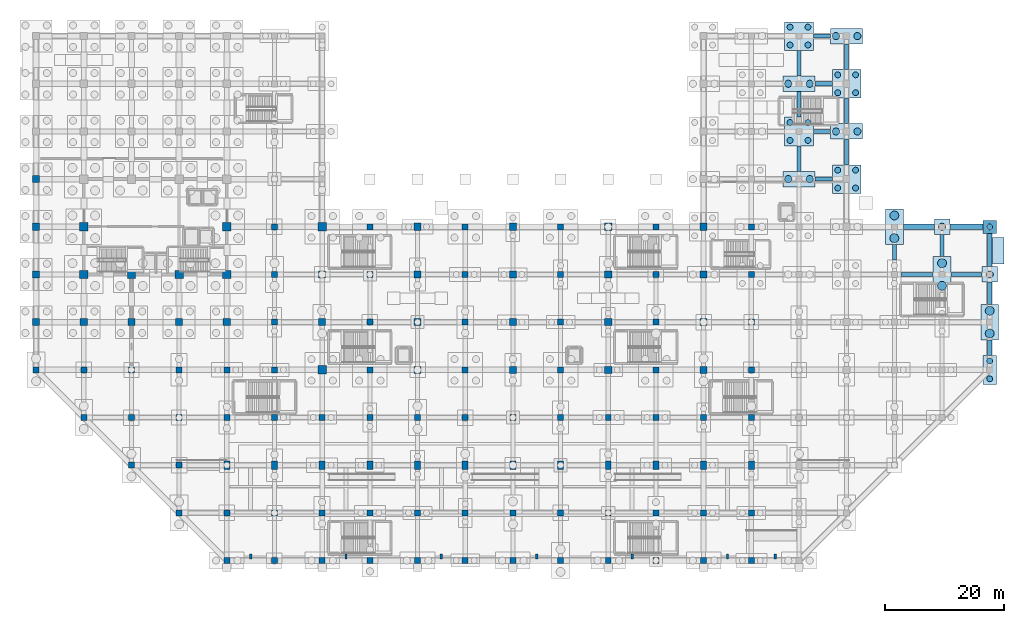
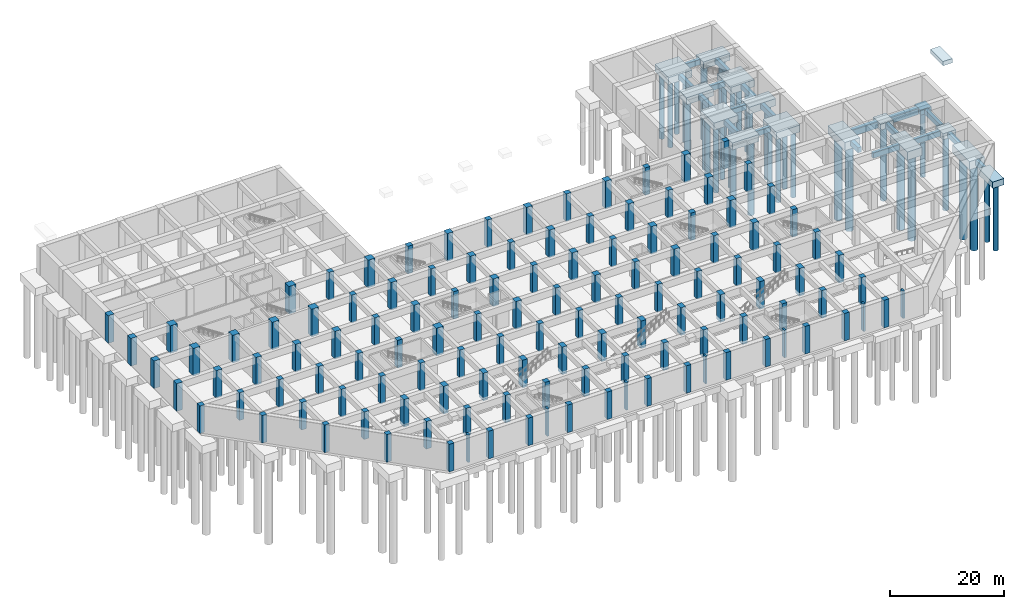
# One storey, part 9 of 26: 124 columns, 35 footings, 35 piles.
"""IFC4 building model written with IfcOpenShell, lengths in metres."""

import ifcopenshell
import ifcopenshell.guid

model = None  # the IFC model being written
_history = None  # IfcOwnerHistory: only IFC2X3 demands one
_inside = {}  # id of a spatial element -> (the spatial element, [elements in it])
_under = {}  # id of a project, library or spatial element -> (it, [spatial elements below it])
_declared = {}  # id of a project -> (the project, [libraries it declares])
_typed = {}  # id of a type object -> (the type object, [elements of that type])
_made_of = {}  # id of a material, layer set ... -> (it, [elements and type objects made of it])


def new_model(schema):
    """Start an empty IFC model of exactly this schema.

    Asked for "IFC4X3", IfcOpenShell would pick the latest addendum, in which some entities
    have other attributes; the version numbers below select the first issue.
    IFC2X3 requires an IfcOwnerHistory on every rooted entity: one is made here for all.
    """
    global model, _history
    if schema == "IFC4X3":
        model = ifcopenshell.file(schema_version=(4, 3, 0, 0))
    else:
        model = ifcopenshell.file(schema=schema)
    _inside.clear()
    _under.clear()
    _declared.clear()
    _typed.clear()
    _made_of.clear()
    _history = None
    if model.schema == "IFC2X3":
        org = make("IfcOrganization", Name="unknown")
        user = make(
            "IfcPersonAndOrganization",
            ThePerson=make("IfcPerson", FamilyName="unknown"),
            TheOrganization=org,
        )
        app = make(
            "IfcApplication",
            ApplicationDeveloper=org,
            Version="unknown",
            ApplicationFullName="unknown",
            ApplicationIdentifier="unknown",
        )
        _history = make(
            "IfcOwnerHistory",
            OwningUser=user,
            OwningApplication=app,
            ChangeAction="ADDED",
            CreationDate=0,
        )
    return model


def make(cls, **values):
    """One entity of the class cls with the attributes given. An attribute that is None is left unset."""
    return model.create_entity(
        cls, **{name: value for name, value in values.items() if value is not None}
    )


def rooted(cls, **values):
    """An entity with a GlobalId (a new one), such as an element, a storey or a relation."""
    return make(cls, GlobalId=ifcopenshell.guid.new(), OwnerHistory=_history, **values)


def si_unit(unit_type, name, prefix=None):
    """IfcSIUnit, for example si_unit("LENGTHUNIT", "METRE", prefix="MILLI")."""
    return make("IfcSIUnit", UnitType=unit_type, Prefix=prefix, Name=name)


def assignment(units):
    """IfcUnitAssignment: the units of a project."""
    return None if units is None else make("IfcUnitAssignment", Units=units)


def point(xyz):
    """IfcCartesianPoint."""
    return None if xyz is None else make("IfcCartesianPoint", Coordinates=xyz)


def direction(xyz):
    """IfcDirection."""
    return None if xyz is None else make("IfcDirection", DirectionRatios=xyz)


def frame(location, z_axis=None, x_axis=None):
    """IfcAxis2Placement3D, a coordinate frame: its origin and axes. An axis left out is left unset."""
    return make(
        "IfcAxis2Placement3D",
        Location=point(location),
        Axis=direction(z_axis),
        RefDirection=direction(x_axis),
    )


def frame_2d(location, x_axis=None):
    """IfcAxis2Placement2D, a coordinate frame in the plane: its origin and x axis."""
    return make(
        "IfcAxis2Placement2D", Location=point(location), RefDirection=direction(x_axis)
    )


def origin():
    """The frame at (0, 0, 0) with its axes left unset."""
    return frame((0.0, 0.0, 0.0))


def origin_2d():
    """The frame at (0, 0) in the plane with its x axis left unset."""
    return frame_2d((0.0, 0.0))


def place(relative_to, where):
    """IfcLocalPlacement: puts the frame where relative to a parent placement (None: the world)."""
    return make(
        "IfcLocalPlacement", PlacementRelTo=relative_to, RelativePlacement=where
    )


def context(
    kind, dimensions, precision=None, world=None, true_north=None, identifier=None
):
    """IfcGeometricRepresentationContext, for example the 3D "Model" context."""
    return make(
        "IfcGeometricRepresentationContext",
        ContextIdentifier=identifier,
        ContextType=kind,
        CoordinateSpaceDimension=dimensions,
        Precision=precision,
        WorldCoordinateSystem=world,
        TrueNorth=true_north,
    )


def subcontext(parent, identifier, kind, view, scale=None):
    """IfcGeometricRepresentationSubContext, for example "Body" below "Model"."""
    return make(
        "IfcGeometricRepresentationSubContext",
        ContextIdentifier=identifier,
        ContextType=kind,
        ParentContext=parent,
        TargetScale=scale,
        TargetView=view,
    )


def project(units=None, contexts=None):
    """IfcProject with its units and contexts."""
    return rooted(
        "IfcProject",
        Name="project",
        RepresentationContexts=contexts,
        UnitsInContext=assignment(units),
    )


def spatial(cls, under=None, at=None, **own):
    """A site, building, storey or space (cls), placed at a placement, below another one or the project."""
    s = rooted(cls, ObjectPlacement=at, **own)
    if under is not None:
        _under.setdefault(under.id(), (under, []))[1].append(s)
    return s


def profile(cls, at=None, kind="AREA", **sizes):
    """A parametric profile (cls). Its sizes go by their IFC names, for example OverallWidth=200.0."""
    return make(cls, ProfileType=kind, Position=at, **sizes)


def rectangle(**sizes):
    """IfcRectangleProfileDef."""
    return profile("IfcRectangleProfileDef", **sizes)


def circle(**sizes):
    """IfcCircleProfileDef."""
    return profile("IfcCircleProfileDef", **sizes)


def extrude(swept, where, along, depth):
    """IfcExtrudedAreaSolid: the profile swept, set in the frame where, extruded along a direction by depth."""
    return make(
        "IfcExtrudedAreaSolid",
        SweptArea=swept,
        Position=where,
        ExtrudedDirection=direction(along),
        Depth=depth,
    )


def shape(context_of_items, identifier, shape_type, items):
    """IfcShapeRepresentation: the items that make up one representation, for example the "Body"."""
    return make(
        "IfcShapeRepresentation",
        ContextOfItems=context_of_items,
        RepresentationIdentifier=identifier,
        RepresentationType=shape_type,
        Items=items,
    )


def material(Name=None, Category=None):
    """IfcMaterial."""
    return make("IfcMaterial", Name=Name, Category=Category)


def material_profile(
    of_material, cross_section, Name=None, Category=None, Priority=None
):
    """IfcMaterialProfile: a cross section and its material."""
    return make(
        "IfcMaterialProfile",
        Name=Name,
        Material=of_material,
        Profile=cross_section,
        Priority=Priority,
        Category=Category,
    )


def profile_set(profiles, Name=None, composite=None):
    """IfcMaterialProfileSet."""
    return make(
        "IfcMaterialProfileSet",
        Name=Name,
        MaterialProfiles=profiles,
        CompositeProfile=composite,
    )


def made_of(thing, what):
    """Note that an element or type object is made of a material, layer set ...; save() writes the relation."""
    if what is not None:
        _made_of.setdefault(what.id(), (what, []))[1].append(thing)
    return thing


def type_object(cls, material=None, **own):
    """A type object (cls), such as IfcWallType, which elements share."""
    return made_of(rooted(cls, **own), material)


def element(
    cls,
    number,
    at=None,
    inside=None,
    cuts=None,
    type_object=None,
    material=None,
    context=None,
    identifier="Body",
    shape_type=None,
    held_by="IfcProductDefinitionShape",
    body=None,
    shapes=None,
    **own,
):
    """One element of the class cls, such as IfcWall. Its Tag is "e" and its number.

    at: its placement. inside: the storey or other place that contains it. cuts: it is an
    opening in that element (IfcRelVoidsElement). A single representation is given by context,
    identifier, shape_type and body (its items); several are given by shapes. held_by: the class
    of the entity that holds the representations. save() writes the other relations.
    """
    e = rooted(cls, Tag="e%d" % number, ObjectPlacement=at, **own)
    if body is not None:
        shapes = [shape(context, identifier, shape_type, body)]
    if shapes is not None:
        e.Representation = make(held_by, Representations=shapes)
    if inside is not None:
        _inside.setdefault(inside.id(), (inside, []))[1].append(e)
    if cuts is not None:
        rooted(
            "IfcRelVoidsElement", RelatingBuildingElement=cuts, RelatedOpeningElement=e
        )
    if type_object is not None:
        _typed.setdefault(type_object.id(), (type_object, []))[1].append(e)
    return made_of(e, material)


def aggregate(whole, parts):
    """IfcRelAggregates: a whole, such as a stair, and the parts it consists of."""
    return rooted("IfcRelAggregates", RelatingObject=whole, RelatedObjects=parts)


def save(model, path):
    """Write the relations noted so far, then the file.

    IfcRelAggregates (storeys below a building ...), IfcRelContainedInSpatialStructure (elements
    in a storey), IfcRelDefinesByType, IfcRelAssociatesMaterial and IfcRelDeclares: one each for
    every whole, place, type object, material and project.
    """
    for whole, parts in _under.values():
        aggregate(whole, parts)
    for where, things in _inside.values():
        rooted(
            "IfcRelContainedInSpatialStructure",
            RelatedElements=things,
            RelatingStructure=where,
        )
    for kind, things in _typed.values():
        rooted("IfcRelDefinesByType", RelatedObjects=things, RelatingType=kind)
    for what, things in _made_of.values():
        rooted("IfcRelAssociatesMaterial", RelatedObjects=things, RelatingMaterial=what)
    for by, libraries in _declared.values():
        rooted("IfcRelDeclares", RelatingContext=by, RelatedDefinitions=libraries)
    model.write(path)


model = new_model("IFC4")

# Units and contexts
model_context = context("Model", 3, precision=1e-05, world=origin(), true_north=direction((0.0, 1.0)))
body_context = subcontext(model_context, "Body", "Model", "MODEL_VIEW")
ifc_project = project(units=[si_unit("LENGTHUNIT", "METRE"), si_unit("AREAUNIT", "SQUARE_METRE"), si_unit("VOLUMEUNIT", "CUBIC_METRE"), si_unit("PLANEANGLEUNIT", "RADIAN"), si_unit("MASSUNIT", "GRAM", prefix="KILO")], contexts=[model_context])

# Site, building, storey
site_placement = place(None, origin())
site = spatial("IfcSite", under=ifc_project, at=site_placement, CompositionType="ELEMENT")
building_placement = place(site_placement, origin())
building = spatial("IfcBuilding", under=site, at=building_placement, Name="Varnela Railside Interchange", CompositionType="ELEMENT")
storey_placement = place(building_placement, frame((0.0, 0.0, -12.60009765625)))
storey = spatial("IfcBuildingStorey", under=building, at=storey_placement, Name="B2", CompositionType="ELEMENT", Elevation=-12.60009765625)

# Piles
ifc_material_1 = material(Name="Concrete C40", Category="concrete")
ifc_material_profile_1 = material_profile(ifc_material_1, circle(Radius=0.5, at=origin_2d()), Name="BORED PILE D1000")
ifc_profile_set_1 = profile_set([ifc_material_profile_1], Name="Concrete C40")
pile_type_1 = type_object("IfcPileType", Name="Bored Pile D1000 L14m", PredefinedType="BORED", material=ifc_profile_set_1)
for number, where, z_axis, x_axis, name in (
    (1, (130.5, 76.5, -2.2998046875), (0.0, 0.0, -1.0), (1.0, 0.0, 0.0), "Bored Pile D1000 L14m"),
    (2, (133.5, 76.5, -2.2998046875), (0.0, 0.0, -1.0), (1.0, 0.0, 0.0), "Bored Pile D1000 L14m"),
    (3, (130.5, 79.5, -2.2998046875), (0.0, 0.0, -1.0), (1.0, 0.0, 0.0), "Bored Pile D1000 L14m"),
    (4, (133.5, 79.5, -2.2998046875), (0.0, 0.0, -1.0), (1.0, 0.0, 0.0), "Bored Pile D1000 L14m"),
    (5, (130.5, 92.5, -2.2998046875), (0.0, 0.0, -1.0), (1.0, 0.0, 0.0), "Bored Pile D1000 L14m"),
    (6, (133.5, 92.5, -2.2998046875), (0.0, 0.0, -1.0), (1.0, 0.0, 0.0), "Bored Pile D1000 L14m"),
    (7, (130.5, 95.5, -2.2998046875), (0.0, 0.0, -1.0), (1.0, 0.0, 0.0), "Bored Pile D1000 L14m"),
    (8, (133.5, 95.5, -2.2998046875), (0.0, 0.0, -1.0), (1.0, 0.0, 0.0), "Bored Pile D1000 L14m"),
    (9, (138.5, 68.5, -2.2998046875), (0.0, 0.0, -1.0), (1.0, 0.0, 0.0), "Bored Pile D1000 L14m"),
    (10, (141.5, 68.5, -2.2998046875), (0.0, 0.0, -1.0), (1.0, 0.0, 0.0), "Bored Pile D1000 L14m"),
    (11, (138.5, 71.5, -2.2998046875), (0.0, 0.0, -1.0), (1.0, 0.0, 0.0), "Bored Pile D1000 L14m"),
    (12, (141.5, 71.5, -2.2998046875), (0.0, 0.0, -1.0), (1.0, 0.0, 0.0), "Bored Pile D1000 L14m"),
    (13, (138.5, 84.5, -2.2998046875), (0.0, 0.0, -1.0), (1.0, 0.0, 0.0), "Bored Pile D1000 L14m"),
    (14, (141.5, 84.5, -2.2998046875), (0.0, 0.0, -1.0), (1.0, 0.0, 0.0), "Bored Pile D1000 L14m"),
    (15, (138.5, 87.5, -2.2998046875), (0.0, 0.0, -1.0), (1.0, 0.0, 0.0), "Bored Pile D1000 L14m"),
    (16, (141.5, 87.5, -2.2998046875), (0.0, 0.0, -1.0), (1.0, 0.0, 0.0), "Bored Pile D1000 L14m"),
    (17, (164.0, 36.5, -2.14990234375), (0.0, 0.0, -1.0), (1.0, 0.0, 0.0), "Bored Pile D1000 L14m"),
    (18, (164.0, 39.5, -2.14990234375), (0.0, 0.0, -1.0), (1.0, 0.0, 0.0), "Bored Pile D1000 L14m"),
    (19, (164.0, 62.0, -1.89990234375), (0.0, 0.0, -1.0), (1.0, 0.0, 0.0), "Bored Pile D1000 L14m"),
):
    element("IfcPile", number, at=place(storey_placement, frame(where, z_axis=z_axis, x_axis=x_axis)), inside=storey, type_object=pile_type_1, Name=name, PredefinedType="BORED", context=body_context, shape_type="SweptSolid", body=[
        extrude(circle(Radius=0.5, at=origin_2d()), origin(), (0.0, 0.0, 1.0), 14.0),
    ])
ifc_material_profile_2 = material_profile(ifc_material_1, circle(Radius=0.60009765625, at=origin_2d()), Name="BORED PILE D1200")
ifc_profile_set_2 = profile_set([ifc_material_profile_2], Name="Concrete C40")
pile_type_2 = type_object("IfcPileType", Name="Bored Pile D1200 L16m", PredefinedType="BORED", material=ifc_profile_set_2)
for number, where, z_axis, x_axis, name in (
    (20, (130.199951171875, 70.0, -2.2998046875), (0.0, 0.0, -1.0), (1.0, 0.0, 0.0), "Bored Pile D1200 L16m"),
    (21, (133.800048828125, 70.0, -2.2998046875), (0.0, 0.0, -1.0), (1.0, 0.0, 0.0), "Bored Pile D1200 L16m"),
    (22, (130.199951171875, 86.0, -2.2998046875), (0.0, 0.0, -1.0), (1.0, 0.0, 0.0), "Bored Pile D1200 L16m"),
    (23, (133.800048828125, 86.0, -2.2998046875), (0.0, 0.0, -1.0), (1.0, 0.0, 0.0), "Bored Pile D1200 L16m"),
    (24, (138.199951171875, 78.0, -2.2998046875), (0.0, 0.0, -1.0), (1.0, 0.0, 0.0), "Bored Pile D1200 L16m"),
    (25, (141.800048828125, 78.0, -2.2998046875), (0.0, 0.0, -1.0), (1.0, 0.0, 0.0), "Bored Pile D1200 L16m"),
    (26, (138.199951171875, 94.0, -2.2998046875), (0.0, 0.0, -1.0), (1.0, 0.0, 0.0), "Bored Pile D1200 L16m"),
    (27, (141.800048828125, 94.0, -2.2998046875), (0.0, 0.0, -1.0), (1.0, 0.0, 0.0), "Bored Pile D1200 L16m"),
    (28, (156.0, 62.0, -2.099853515625), (0.0, 0.0, -1.0), (1.0, 0.0, 0.0), "Bored Pile D1200 L16m"),
    (29, (164.0, 54.0, -2.099853515625), (0.0, 0.0, -1.0), (1.0, 0.0, 0.0), "Bored Pile D1200 L16m"),
):
    element("IfcPile", number, at=place(storey_placement, frame(where, z_axis=z_axis, x_axis=x_axis)), inside=storey, type_object=pile_type_2, Name=name, PredefinedType="BORED", context=body_context, shape_type="SweptSolid", body=[
        extrude(circle(Radius=0.60009765625, at=origin_2d()), origin(), (0.0, 0.0, 1.0), 16.0),
    ])
ifc_material_profile_3 = material_profile(ifc_material_1, circle(Radius=0.75, at=origin_2d()), Name="BORED PILE D1500")
ifc_profile_set_3 = profile_set([ifc_material_profile_3], Name="Concrete C40")
pile_type_3 = type_object("IfcPileType", Name="Bored Pile D1500 L18m", PredefinedType="BORED", material=ifc_profile_set_3)
for number, where, z_axis, x_axis, name in (
    (30, (148.0, 60.10009765625, -2.5498046875), (0.0, 0.0, -1.0), (1.0, 0.0, 0.0), "Bored Pile D1500 L18m"),
    (31, (148.0, 63.89990234375, -2.5498046875), (0.0, 0.0, -1.0), (1.0, 0.0, 0.0), "Bored Pile D1500 L18m"),
    (32, (156.0, 52.10009765625, -2.5498046875), (0.0, 0.0, -1.0), (1.0, 0.0, 0.0), "Bored Pile D1500 L18m"),
    (33, (156.0, 55.89990234375, -2.5498046875), (0.0, 0.0, -1.0), (1.0, 0.0, 0.0), "Bored Pile D1500 L18m"),
    (34, (164.0, 44.10009765625, -2.5498046875), (0.0, 0.0, -1.0), (1.0, 0.0, 0.0), "Bored Pile D1500 L18m"),
    (35, (164.0, 47.89990234375, -2.5498046875), (0.0, 0.0, -1.0), (1.0, 0.0, 0.0), "Bored Pile D1500 L18m"),
):
    element("IfcPile", number, at=place(storey_placement, frame(where, z_axis=z_axis, x_axis=x_axis)), inside=storey, type_object=pile_type_3, Name=name, PredefinedType="BORED", context=body_context, shape_type="SweptSolid", body=[
        extrude(circle(Radius=0.75, at=origin_2d()), origin(), (0.0, 0.0, 1.0), 18.0),
    ])

# Footings
ifc_material_2 = material(Name="Concrete C50", Category="concrete")
footing_type_1 = type_object("IfcFootingType", Name="Four-Pile Cap PC-06", PredefinedType="PILE_CAP", material=ifc_material_2)
for number, where, z_axis, x_axis, name in (
    (36, (132.0, 78.0, -2.2998046875), (0.0, 0.0, 1.0), (1.0, 0.0, 0.0), "Four-Pile Cap PC-06 (FT-0084)"),
    (37, (132.0, 94.0, -2.2998046875), (0.0, 0.0, 1.0), (1.0, 0.0, 0.0), "Four-Pile Cap PC-06 (FT-0086)"),
    (38, (140.0, 70.0, -2.2998046875), (0.0, 0.0, 1.0), (1.0, 0.0, 0.0), "Four-Pile Cap PC-06 (FT-0094)"),
    (39, (140.0, 86.0, -2.2998046875), (0.0, 0.0, 1.0), (1.0, 0.0, 0.0), "Four-Pile Cap PC-06 (FT-0096)"),
):
    element("IfcFooting", number, at=place(storey_placement, frame(where, z_axis=z_axis, x_axis=x_axis)), inside=storey, type_object=footing_type_1, Name=name, PredefinedType="PILE_CAP", context=body_context, shape_type="SweptSolid", body=[
        extrude(rectangle(XDim=4.800048828125, YDim=4.800048828125, at=origin_2d()), origin(), (0.0, 0.0, 1.0), 1.5),
    ])
footing_type_2 = type_object("IfcFootingType", Name="Ground Tie Beam GB-01", PredefinedType="FOOTING_BEAM", material=ifc_material_2)
for number, where, z_axis, x_axis, name in (
    (40, (132.0, 73.449951171875, -1.89990234375), (0.0, 0.0, 1.0), (1.0, 0.0, 0.0), "Ground Tie Beam GB-01 (FT-0447)"),
    (41, (132.0, 82.550048828125, -1.89990234375), (0.0, 0.0, 1.0), (1.0, 0.0, 0.0), "Ground Tie Beam GB-01 (FT-0448)"),
    (42, (132.0, 89.449951171875, -1.89990234375), (0.0, 0.0, 1.0), (1.0, 0.0, 0.0), "Ground Tie Beam GB-01 (FT-0440)"),
    (43, (140.0, 74.550048828125, -1.89990234375), (0.0, 0.0, 1.0), (1.0, 0.0, 0.0), "Ground Tie Beam GB-01 (FT-0457)"),
    (44, (140.0, 81.449951171875, -1.89990234375), (0.0, 0.0, 1.0), (1.0, 0.0, 0.0), "Ground Tie Beam GB-01 (FT-0458)"),
    (45, (140.0, 90.550048828125, -1.89990234375), (0.0, 0.0, 1.0), (1.0, 0.0, 0.0), "Ground Tie Beam GB-01 (FT-0450)"),
):
    element("IfcFooting", number, at=place(storey_placement, frame(where, z_axis=z_axis, x_axis=x_axis)), inside=storey, type_object=footing_type_2, Name=name, PredefinedType="FOOTING_BEAM", context=body_context, shape_type="SweptSolid", body=[
        extrude(rectangle(XDim=0.699951171875, YDim=4.300048828125, at=origin_2d()), origin(), (0.0, 0.0, 1.0), 1.10009765625),
    ])
footing_1_placement = place(storey_placement, frame((148.0, 57.72509765625, -1.89990234375), z_axis=(0.0, 0.0, 1.0), x_axis=(1.0, 0.0, 0.0)))
element("IfcFooting", 46, at=footing_1_placement, inside=storey, type_object=footing_type_2, Name="Ground Tie Beam GB-01 (FT-0463)", PredefinedType="FOOTING_BEAM", context=body_context, shape_type="SweptSolid", body=[
    extrude(rectangle(XDim=0.699951171875, YDim=2.550048828125, at=origin_2d()), origin(), (0.0, 0.0, 1.0), 1.10009765625),
])
footing_2_placement = place(storey_placement, frame((156.0, 58.85009765625, -1.89990234375), z_axis=(0.0, 0.0, 1.0), x_axis=(1.0, 0.0, 0.0)))
element("IfcFooting", 47, at=footing_2_placement, inside=storey, type_object=footing_type_2, Name="Ground Tie Beam GB-01 (FT-0474)", PredefinedType="FOOTING_BEAM", context=body_context, shape_type="SweptSolid", body=[
    extrude(rectangle(XDim=0.699951171875, YDim=3.699951171875, at=origin_2d()), origin(), (0.0, 0.0, 1.0), 1.10009765625),
])
footing_3_placement = place(storey_placement, frame((164.0, 41.72509765625, -1.89990234375), z_axis=(0.0, 0.0, 1.0), x_axis=(1.0, 0.0, 0.0)))
element("IfcFooting", 48, at=footing_3_placement, inside=storey, type_object=footing_type_2, Name="Ground Tie Beam GB-01 (FT-0475)", PredefinedType="FOOTING_BEAM", context=body_context, shape_type="SweptSolid", body=[
    extrude(rectangle(XDim=0.699951171875, YDim=2.550048828125, at=origin_2d()), origin(), (0.0, 0.0, 1.0), 1.10009765625),
])
footing_4_placement = place(storey_placement, frame((164.0, 50.85009765625, -1.89990234375), z_axis=(0.0, 0.0, 1.0), x_axis=(1.0, 0.0, 0.0)))
element("IfcFooting", 49, at=footing_4_placement, inside=storey, type_object=footing_type_2, Name="Ground Tie Beam GB-01 (FT-0476)", PredefinedType="FOOTING_BEAM", context=body_context, shape_type="SweptSolid", body=[
    extrude(rectangle(XDim=0.699951171875, YDim=3.699951171875, at=origin_2d()), origin(), (0.0, 0.0, 1.0), 1.10009765625),
])
footing_5_placement = place(storey_placement, frame((164.0, 58.10009765625, -1.89990234375), z_axis=(0.0, 0.0, 1.0), x_axis=(1.0, 0.0, 0.0)))
element("IfcFooting", 50, at=footing_5_placement, inside=storey, type_object=footing_type_2, Name="Ground Tie Beam GB-01 (FT-0477)", PredefinedType="FOOTING_BEAM", context=body_context, shape_type="SweptSolid", body=[
    extrude(rectangle(XDim=0.699951171875, YDim=5.60009765625, at=origin_2d()), origin(), (0.0, 0.0, 1.0), 1.10009765625),
])
footing_6_placement = place(storey_placement, frame((151.824951171875, 54.0, -1.89990234375), z_axis=(0.0, 0.0, 1.0), x_axis=(1.0, 0.0, 0.0)))
element("IfcFooting", 51, at=footing_6_placement, inside=storey, type_object=footing_type_2, Name="Ground Tie Beam GB-01 (FT-0318)", PredefinedType="FOOTING_BEAM", context=body_context, shape_type="SweptSolid", body=[
    extrude(rectangle(XDim=5.35009765625, YDim=0.699951171875, at=origin_2d()), origin(), (0.0, 0.0, 1.0), 1.10009765625),
])
footing_7_placement = place(storey_placement, frame((160.10009765625, 54.0, -1.89990234375), z_axis=(0.0, 0.0, 1.0), x_axis=(1.0, 0.0, 0.0)))
element("IfcFooting", 52, at=footing_7_placement, inside=storey, type_object=footing_type_2, Name="Ground Tie Beam GB-01 (FT-0319)", PredefinedType="FOOTING_BEAM", context=body_context, shape_type="SweptSolid", body=[
    extrude(rectangle(XDim=5.199951171875, YDim=0.699951171875, at=origin_2d()), origin(), (0.0, 0.0, 1.0), 1.10009765625),
])
for number, where, z_axis, x_axis, name in (
    (53, (136.14990234375, 70.0, -1.89990234375), (0.0, 0.0, 1.0), (1.0, 0.0, 0.0), "Ground Tie Beam GB-01 (FT-0349)"),
    (54, (135.85009765625, 78.0, -1.89990234375), (0.0, 0.0, 1.0), (1.0, 0.0, 0.0), "Ground Tie Beam GB-01 (FT-0358)"),
    (55, (136.14990234375, 86.0, -1.89990234375), (0.0, 0.0, 1.0), (1.0, 0.0, 0.0), "Ground Tie Beam GB-01 (FT-0367)"),
    (56, (135.85009765625, 94.0, -1.89990234375), (0.0, 0.0, 1.0), (1.0, 0.0, 0.0), "Ground Tie Beam GB-01 (FT-0376)"),
):
    element("IfcFooting", number, at=place(storey_placement, frame(where, z_axis=z_axis, x_axis=x_axis)), inside=storey, type_object=footing_type_2, Name=name, PredefinedType="FOOTING_BEAM", context=body_context, shape_type="SweptSolid", body=[
        extrude(rectangle(XDim=2.89990234375, YDim=0.699951171875, at=origin_2d()), origin(), (0.0, 0.0, 1.0), 1.10009765625),
    ])
footing_type_3 = type_object("IfcFootingType", Name="Ground Tie Beam GB-03", PredefinedType="FOOTING_BEAM", material=ifc_material_2)
footing_8_placement = place(storey_placement, frame((152.10009765625, 62.0, -2.10009765625), z_axis=(0.0, 0.0, 1.0), x_axis=(1.0, 0.0, 0.0)))
element("IfcFooting", 57, at=footing_8_placement, inside=storey, type_object=footing_type_3, Name="Ground Tie Beam GB-03 (FT-0337)", PredefinedType="FOOTING_BEAM", context=body_context, shape_type="SweptSolid", body=[
    extrude(rectangle(XDim=5.199951171875, YDim=0.89990234375, at=origin_2d()), origin(), (0.0, 0.0, 1.0), 1.300048828125),
])
footing_9_placement = place(storey_placement, frame((160.10009765625, 62.0, -2.10009765625), z_axis=(0.0, 0.0, 1.0), x_axis=(1.0, 0.0, 0.0)))
element("IfcFooting", 58, at=footing_9_placement, inside=storey, type_object=footing_type_3, Name="Ground Tie Beam GB-03 (FT-0338)", PredefinedType="FOOTING_BEAM", context=body_context, shape_type="SweptSolid", body=[
    extrude(rectangle(XDim=5.60009765625, YDim=0.89990234375, at=origin_2d()), origin(), (0.0, 0.0, 1.0), 1.300048828125),
])
footing_type_4 = type_object("IfcFootingType", Name="Single Large Pile Cap PC-07", PredefinedType="PILE_CAP", material=ifc_material_2)
for number, where, z_axis, x_axis, name in (
    (59, (156.0, 62.0, -2.10009765625), (0.0, 0.0, 1.0), (1.0, 0.0, 0.0), "Single Large Pile Cap PC-07 (FT-0116)"),
    (60, (164.0, 54.0, -2.10009765625), (0.0, 0.0, 1.0), (1.0, 0.0, 0.0), "Single Large Pile Cap PC-07 (FT-0119)"),
):
    element("IfcFooting", number, at=place(storey_placement, frame(where, z_axis=z_axis, x_axis=x_axis)), inside=storey, type_object=footing_type_4, Name=name, PredefinedType="PILE_CAP", context=body_context, shape_type="SweptSolid", body=[
        extrude(rectangle(XDim=2.60009765625, YDim=2.60009765625, at=origin_2d()), origin(), (0.0, 0.0, 1.0), 1.300048828125),
    ])
footing_type_5 = type_object("IfcFootingType", Name="Single Pile Cap PC-01", PredefinedType="PILE_CAP", material=ifc_material_2)
footing_10_placement = place(storey_placement, frame((164.0, 62.0, -1.89990234375), z_axis=(0.0, 0.0, 1.0), x_axis=(1.0, 0.0, 0.0)))
element("IfcFooting", 61, at=footing_10_placement, inside=storey, type_object=footing_type_5, Name="Single Pile Cap PC-01 (FT-0120)", PredefinedType="PILE_CAP", context=body_context, shape_type="SweptSolid", body=[
    extrude(rectangle(XDim=2.199951171875, YDim=2.199951171875, at=origin_2d()), origin(), (0.0, 0.0, 1.0), 1.10009765625),
])
footing_type_6 = type_object("IfcFootingType", Name="Substation Equipment Pad AP-04", PredefinedType="PAD_FOOTING", material=ifc_material_2)
footing_11_placement = place(storey_placement, frame((165.449951171875, 58.0, 11.250244140625), z_axis=(0.0, 0.0, 1.0), x_axis=(1.0, 0.0, 0.0)))
element("IfcFooting", 62, at=footing_11_placement, inside=storey, type_object=footing_type_6, Name="Substation Equipment Pad AP-04 (FT-0562)", PredefinedType="PAD_FOOTING", context=body_context, shape_type="SweptSolid", body=[
    extrude(rectangle(XDim=1.89990234375, YDim=4.39990234375, at=origin_2d()), origin(), (0.0, 0.0, 1.0), 0.89990234375),
])
footing_type_7 = type_object("IfcFootingType", Name="Two-Pile Cap X D1200 PC-08", PredefinedType="PILE_CAP", material=ifc_material_2)
for number, where, z_axis, x_axis, name in (
    (63, (132.0, 70.0, -2.2998046875), (0.0, 0.0, 1.0), (1.0, 0.0, 0.0), "Two-Pile Cap X D1200 PC-08 (FT-0083)"),
    (64, (132.0, 86.0, -2.2998046875), (0.0, 0.0, 1.0), (1.0, 0.0, 0.0), "Two-Pile Cap X D1200 PC-08 (FT-0085)"),
    (65, (140.0, 78.0, -2.2998046875), (0.0, 0.0, 1.0), (1.0, 0.0, 0.0), "Two-Pile Cap X D1200 PC-08 (FT-0095)"),
    (66, (140.0, 94.0, -2.2998046875), (0.0, 0.0, 1.0), (1.0, 0.0, 0.0), "Two-Pile Cap X D1200 PC-08 (FT-0097)"),
):
    element("IfcFooting", number, at=place(storey_placement, frame(where, z_axis=z_axis, x_axis=x_axis)), inside=storey, type_object=footing_type_7, Name=name, PredefinedType="PILE_CAP", context=body_context, shape_type="SweptSolid", body=[
        extrude(rectangle(XDim=5.39990234375, YDim=2.60009765625, at=origin_2d()), origin(), (0.0, 0.0, 1.0), 1.5),
    ])
footing_type_8 = type_object("IfcFootingType", Name="Two-Pile Cap Y PC-04", PredefinedType="PILE_CAP", material=ifc_material_2)
footing_12_placement = place(storey_placement, frame((164.0, 38.0, -2.14990234375), z_axis=(0.0, 0.0, 1.0), x_axis=(1.0, 0.0, 0.0)))
element("IfcFooting", 67, at=footing_12_placement, inside=storey, type_object=footing_type_8, Name="Two-Pile Cap Y PC-04 (FT-0117)", PredefinedType="PILE_CAP", context=body_context, shape_type="SweptSolid", body=[
    extrude(rectangle(XDim=2.300048828125, YDim=4.89990234375, at=origin_2d()), origin(), (0.0, 0.0, 1.0), 1.35009765625),
])
footing_type_9 = type_object("IfcFootingType", Name="Two-Pile Heavy Cap Y PC-14", PredefinedType="PILE_CAP", material=ifc_material_2)
for number, where, z_axis, x_axis, name in (
    (68, (148.0, 62.0, -2.5498046875), (0.0, 0.0, 1.0), (1.0, 0.0, 0.0), "Two-Pile Heavy Cap Y PC-14 (FT-0103)"),
    (69, (156.0, 54.0, -2.5498046875), (0.0, 0.0, 1.0), (1.0, 0.0, 0.0), "Two-Pile Heavy Cap Y PC-14 (FT-0115)"),
    (70, (164.0, 46.0, -2.5498046875), (0.0, 0.0, 1.0), (1.0, 0.0, 0.0), "Two-Pile Heavy Cap Y PC-14 (FT-0118)"),
):
    element("IfcFooting", number, at=place(storey_placement, frame(where, z_axis=z_axis, x_axis=x_axis)), inside=storey, type_object=footing_type_9, Name=name, PredefinedType="PILE_CAP", context=body_context, shape_type="SweptSolid", body=[
        extrude(rectangle(XDim=3.0, YDim=6.0, at=origin_2d()), origin(), (0.0, 0.0, 1.0), 1.75),
    ])

# Columns
ifc_material_profile_4 = material_profile(ifc_material_2, rectangle(XDim=0.39990234375, YDim=0.800048828125, at=origin_2d()), Name="RC 400x800")
ifc_profile_set_4 = profile_set([ifc_material_profile_4], Name="Concrete C50")
column_type_1 = type_object("IfcColumnType", Name="Diaphragm Wall Pilaster CP-01", PredefinedType="PILASTER", material=ifc_profile_set_4)
for number, where, z_axis, x_axis, name in (
    (71, (40.0, 6.699951171875, 0.0), (0.0, 0.0, 1.0), (1.0, 0.0, 0.0), "Column CP-01 (B2) (CL-0191)"),
    (72, (56.0, 6.699951171875, 0.0), (0.0, 0.0, 1.0), (1.0, 0.0, 0.0), "Column CP-01 (B2) (CL-0192)"),
    (73, (72.0, 6.699951171875, 0.0), (0.0, 0.0, 1.0), (1.0, 0.0, 0.0), "Column CP-01 (B2) (CL-0193)"),
    (74, (88.0, 6.699951171875, 0.0), (0.0, 0.0, 1.0), (1.0, 0.0, 0.0), "Column CP-01 (B2) (CL-0194)"),
    (75, (104.0, 6.699951171875, 0.0), (0.0, 0.0, 1.0), (1.0, 0.0, 0.0), "Column CP-01 (B2) (CL-0195)"),
    (76, (120.0, 6.699951171875, 0.0), (0.0, 0.0, 1.0), (1.0, 0.0, 0.0), "Column CP-01 (B2) (CL-0196)"),
    (77, (128.0, 6.699951171875, 0.0), (0.0, 0.0, 1.0), (1.0, 0.0, 0.0), "Column CP-01 (B2) (CL-0197)"),
):
    element("IfcColumn", number, at=place(storey_placement, frame(where, z_axis=z_axis, x_axis=x_axis)), inside=storey, type_object=column_type_1, Name=name, PredefinedType="PILASTER", context=body_context, shape_type="SweptSolid", body=[
        extrude(rectangle(XDim=0.39990234375, YDim=0.800048828125, at=origin_2d()), origin(), (0.0, 0.0, 1.0), 5.900146484375),
    ])
ifc_material_profile_5 = material_profile(ifc_material_2, rectangle(XDim=1.199951171875, YDim=1.199951171875, at=origin_2d()), Name="RC 1200x1200")
ifc_profile_set_5 = profile_set([ifc_material_profile_5], Name="Concrete C50")
column_type_2 = type_object("IfcColumnType", Name="Station Box Heavy Column C-09", PredefinedType="COLUMN", material=ifc_profile_set_5)
for number, where, z_axis, x_axis, name in (
    (78, (4.0, 46.0, 0.0), (0.0, 0.0, 1.0), (1.0, 0.0, 0.0), "Column C-09 (B2) (CL-0095)"),
    (79, (4.0, 54.0, 0.0), (0.0, 0.0, 1.0), (1.0, 0.0, 0.0), "Column C-09 (B2) (CL-0096)"),
    (80, (4.0, 62.0, 0.0), (0.0, 0.0, 1.0), (1.0, 0.0, 0.0), "Column C-09 (B2) (CL-0097)"),
    (81, (4.0, 70.0, 0.0), (0.0, 0.0, 1.0), (1.0, 0.0, 0.0), "Column C-09 (B2) (CL-0098)"),
    (82, (12.0, 46.0, 0.0), (0.0, 0.0, 1.0), (1.0, 0.0, 0.0), "Column C-09 (B2) (CL-0113)"),
    (83, (20.0, 46.0, 0.0), (0.0, 0.0, 1.0), (1.0, 0.0, 0.0), "Column C-09 (B2) (CL-0123)"),
    (84, (28.0, 46.0, 0.0), (0.0, 0.0, 1.0), (1.0, 0.0, 0.0), "Column C-09 (B2) (CL-0133)"),
    (85, (36.0, 46.0, 0.0), (0.0, 0.0, 1.0), (1.0, 0.0, 0.0), "Column C-09 (B2) (CL-0144)"),
    (86, (52.0, 46.0, 0.0), (0.0, 0.0, 1.0), (1.0, 0.0, 0.0), "Column C-09 (B2) (CL-0168)"),
    (87, (52.0, 54.0, 0.0), (0.0, 0.0, 1.0), (1.0, 0.0, 0.0), "Column C-09 (B2) (CL-0169)"),
    (88, (68.0, 38.0, 0.0), (0.0, 0.0, 1.0), (1.0, 0.0, 0.0), "Column C-09 (B2) (CL-0187)"),
    (89, (68.0, 46.0, 0.0), (0.0, 0.0, 1.0), (1.0, 0.0, 0.0), "Column C-09 (B2) (CL-0188)"),
    (90, (68.0, 54.0, 0.0), (0.0, 0.0, 1.0), (1.0, 0.0, 0.0), "Column C-09 (B2) (CL-0189)"),
    (91, (68.0, 62.0, 0.0), (0.0, 0.0, 1.0), (1.0, 0.0, 0.0), "Column C-09 (B2) (CL-0190)"),
    (92, (84.0, 38.0, 0.0), (0.0, 0.0, 1.0), (1.0, 0.0, 0.0), "Column C-09 (B2) (CL-0013)"),
    (93, (84.0, 46.0, 0.0), (0.0, 0.0, 1.0), (1.0, 0.0, 0.0), "Column C-09 (B2) (CL-0014)"),
    (94, (84.0, 54.0, 0.0), (0.0, 0.0, 1.0), (1.0, 0.0, 0.0), "Column C-09 (B2) (CL-0015)"),
    (95, (84.0, 62.0, 0.0), (0.0, 0.0, 1.0), (1.0, 0.0, 0.0), "Column C-09 (B2) (CL-0016)"),
    (96, (100.0, 38.0, 0.0), (0.0, 0.0, 1.0), (1.0, 0.0, 0.0), "Column C-09 (B2) (CL-0029)"),
    (97, (100.0, 46.0, 0.0), (0.0, 0.0, 1.0), (1.0, 0.0, 0.0), "Column C-09 (B2) (CL-0030)"),
    (98, (100.0, 54.0, 0.0), (0.0, 0.0, 1.0), (1.0, 0.0, 0.0), "Column C-09 (B2) (CL-0031)"),
    (99, (100.0, 62.0, 0.0), (0.0, 0.0, 1.0), (1.0, 0.0, 0.0), "Column C-09 (B2) (CL-0032)"),
    (100, (116.0, 38.0, 0.0), (0.0, 0.0, 1.0), (1.0, 0.0, 0.0), "Column C-09 (B2) (CL-0045)"),
    (101, (116.0, 46.0, 0.0), (0.0, 0.0, 1.0), (1.0, 0.0, 0.0), "Column C-09 (B2) (CL-0046)"),
    (102, (116.0, 54.0, 0.0), (0.0, 0.0, 1.0), (1.0, 0.0, 0.0), "Column C-09 (B2) (CL-0047)"),
    (103, (116.0, 62.0, 0.0), (0.0, 0.0, 1.0), (1.0, 0.0, 0.0), "Column C-09 (B2) (CL-0048)"),
):
    element("IfcColumn", number, at=place(storey_placement, frame(where, z_axis=z_axis, x_axis=x_axis)), inside=storey, type_object=column_type_2, Name=name, PredefinedType="COLUMN", context=body_context, shape_type="SweptSolid", body=[
        extrude(rectangle(XDim=1.199951171875, YDim=1.199951171875, at=origin_2d()), origin(), (0.0, 0.0, 1.0), 5.900146484375),
    ])
ifc_material_profile_6 = material_profile(ifc_material_2, rectangle(XDim=1.39990234375, YDim=1.39990234375, at=origin_2d()), Name="RC 1400x1400")
ifc_profile_set_6 = profile_set([ifc_material_profile_6], Name="Concrete C50")
column_type_3 = type_object("IfcColumnType", Name="Station Box Mega Column C-10", PredefinedType="COLUMN", material=ifc_profile_set_6)
for number, where, z_axis, x_axis, name in (
    (104, (12.0, 54.0, 0.0), (0.0, 0.0, 1.0), (1.0, 0.0, 0.0), "Column C-10 (B2) (CL-0114)"),
    (105, (12.0, 62.0, 0.0), (0.0, 0.0, 1.0), (1.0, 0.0, 0.0), "Column C-10 (B2) (CL-0115)"),
    (106, (20.0, 54.0, 0.0), (0.0, 0.0, 1.0), (1.0, 0.0, 0.0), "Column C-10 (B2) (CL-0124)"),
    (107, (28.0, 54.0, 0.0), (0.0, 0.0, 1.0), (1.0, 0.0, 0.0), "Column C-10 (B2) (CL-0134)"),
    (108, (36.0, 54.0, 0.0), (0.0, 0.0, 1.0), (1.0, 0.0, 0.0), "Column C-10 (B2) (CL-0145)"),
    (109, (36.0, 62.0, 0.0), (0.0, 0.0, 1.0), (1.0, 0.0, 0.0), "Column C-10 (B2) (CL-0146)"),
    (110, (52.0, 38.0, 0.0), (0.0, 0.0, 1.0), (1.0, 0.0, 0.0), "Column C-10 (B2) (CL-0167)"),
    (111, (52.0, 62.0, 0.0), (0.0, 0.0, 1.0), (1.0, 0.0, 0.0), "Column C-10 (B2) (CL-0170)"),
):
    element("IfcColumn", number, at=place(storey_placement, frame(where, z_axis=z_axis, x_axis=x_axis)), inside=storey, type_object=column_type_3, Name=name, PredefinedType="COLUMN", context=body_context, shape_type="SweptSolid", body=[
        extrude(rectangle(XDim=1.39990234375, YDim=1.39990234375, at=origin_2d()), origin(), (0.0, 0.0, 1.0), 5.900146484375),
    ])
ifc_material_profile_7 = material_profile(ifc_material_2, rectangle(XDim=1.0, YDim=1.39990234375, at=origin_2d()), Name="RC 1000x1400")
ifc_profile_set_7 = profile_set([ifc_material_profile_7], Name="Concrete C50")
column_type_4 = type_object("IfcColumnType", Name="Station Box Rect Column C-08", PredefinedType="COLUMN", material=ifc_profile_set_7)
for number, where, z_axis, x_axis, name in (
    (112, (36.0, 22.0, 0.0), (0.0, 0.0, 1.0), (1.0, 0.0, 0.0), "Column C-08 (B2) (CL-0141)"),
    (113, (44.0, 22.0, 0.0), (0.0, 0.0, 1.0), (1.0, 0.0, 0.0), "Column C-08 (B2) (CL-0153)"),
    (114, (52.0, 22.0, 0.0), (0.0, 0.0, 1.0), (1.0, 0.0, 0.0), "Column C-08 (B2) (CL-0165)"),
    (115, (60.0, 22.0, 0.0), (0.0, 0.0, 1.0), (1.0, 0.0, 0.0), "Column C-08 (B2) (CL-0177)"),
    (116, (68.0, 22.0, 0.0), (0.0, 0.0, 1.0), (1.0, 0.0, 0.0), "Column C-08 (B2) (CL-0185)"),
    (117, (76.0, 22.0, 0.0), (0.0, 0.0, 1.0), (1.0, 0.0, 0.0), "Column C-08 (B2) (CL-0003)"),
    (118, (84.0, 22.0, 0.0), (0.0, 0.0, 1.0), (1.0, 0.0, 0.0), "Column C-08 (B2) (CL-0011)"),
    (119, (92.0, 22.0, 0.0), (0.0, 0.0, 1.0), (1.0, 0.0, 0.0), "Column C-08 (B2) (CL-0019)"),
    (120, (100.0, 22.0, 0.0), (0.0, 0.0, 1.0), (1.0, 0.0, 0.0), "Column C-08 (B2) (CL-0027)"),
    (121, (108.0, 22.0, 0.0), (0.0, 0.0, 1.0), (1.0, 0.0, 0.0), "Column C-08 (B2) (CL-0035)"),
    (122, (116.0, 22.0, 0.0), (0.0, 0.0, 1.0), (1.0, 0.0, 0.0), "Column C-08 (B2) (CL-0043)"),
    (123, (124.0, 22.0, 0.0), (0.0, 0.0, 1.0), (1.0, 0.0, 0.0), "Column C-08 (B2) (CL-0055)"),
):
    element("IfcColumn", number, at=place(storey_placement, frame(where, z_axis=z_axis, x_axis=x_axis)), inside=storey, type_object=column_type_4, Name=name, PredefinedType="COLUMN", context=body_context, shape_type="SweptSolid", body=[
        extrude(rectangle(XDim=1.0, YDim=1.39990234375, at=origin_2d()), origin(), (0.0, 0.0, 1.0), 5.900146484375),
    ])
ifc_material_profile_8 = material_profile(ifc_material_2, rectangle(XDim=1.0, YDim=1.0, at=origin_2d()), Name="RC 1000x1000")
ifc_profile_set_8 = profile_set([ifc_material_profile_8], Name="Concrete C50")
column_type_5 = type_object("IfcColumnType", Name="Station Box Standard Col C-07", PredefinedType="COLUMN", material=ifc_profile_set_8)
for number, where, z_axis, x_axis, name in (
    (124, (4.0, 38.0, 0.0), (0.0, 0.0, 1.0), (1.0, 0.0, 0.0), "Column C-07 (B2) (CL-0094)"),
    (125, (12.0, 30.0, 0.0), (0.0, 0.0, 1.0), (1.0, 0.0, 0.0), "Column C-07 (B2) (CL-0111)"),
    (126, (12.0, 38.0, 0.0), (0.0, 0.0, 1.0), (1.0, 0.0, 0.0), "Column C-07 (B2) (CL-0112)"),
    (127, (20.0, 22.0, 0.0), (0.0, 0.0, 1.0), (1.0, 0.0, 0.0), "Column C-07 (B2) (CL-0120)"),
    (128, (20.0, 30.0, 0.0), (0.0, 0.0, 1.0), (1.0, 0.0, 0.0), "Column C-07 (B2) (CL-0121)"),
    (129, (20.0, 38.0, 0.0), (0.0, 0.0, 1.0), (1.0, 0.0, 0.0), "Column C-07 (B2) (CL-0122)"),
    (130, (28.0, 14.0, 0.0), (0.0, 0.0, 1.0), (1.0, 0.0, 0.0), "Column C-07 (B2) (CL-0129)"),
    (131, (28.0, 22.0, 0.0), (0.0, 0.0, 1.0), (1.0, 0.0, 0.0), "Column C-07 (B2) (CL-0130)"),
    (132, (28.0, 30.0, 0.0), (0.0, 0.0, 1.0), (1.0, 0.0, 0.0), "Column C-07 (B2) (CL-0131)"),
    (133, (28.0, 38.0, 0.0), (0.0, 0.0, 1.0), (1.0, 0.0, 0.0), "Column C-07 (B2) (CL-0132)"),
    (134, (36.0, 6.0, 0.0), (0.0, 0.0, 1.0), (1.0, 0.0, 0.0), "Column C-07 (B2) (CL-0139)"),
    (135, (36.0, 14.0, 0.0), (0.0, 0.0, 1.0), (1.0, 0.0, 0.0), "Column C-07 (B2) (CL-0140)"),
    (136, (36.0, 30.0, 0.0), (0.0, 0.0, 1.0), (1.0, 0.0, 0.0), "Column C-07 (B2) (CL-0142)"),
    (137, (36.0, 38.0, 0.0), (0.0, 0.0, 1.0), (1.0, 0.0, 0.0), "Column C-07 (B2) (CL-0143)"),
    (138, (44.0, 6.0, 0.0), (0.0, 0.0, 1.0), (1.0, 0.0, 0.0), "Column C-07 (B2) (CL-0151)"),
    (139, (44.0, 14.0, 0.0), (0.0, 0.0, 1.0), (1.0, 0.0, 0.0), "Column C-07 (B2) (CL-0152)"),
    (140, (44.0, 30.0, 0.0), (0.0, 0.0, 1.0), (1.0, 0.0, 0.0), "Column C-07 (B2) (CL-0154)"),
    (141, (44.0, 38.0, 0.0), (0.0, 0.0, 1.0), (1.0, 0.0, 0.0), "Column C-07 (B2) (CL-0155)"),
    (142, (44.0, 46.0, 0.0), (0.0, 0.0, 1.0), (1.0, 0.0, 0.0), "Column C-07 (B2) (CL-0156)"),
    (143, (44.0, 54.0, 0.0), (0.0, 0.0, 1.0), (1.0, 0.0, 0.0), "Column C-07 (B2) (CL-0157)"),
    (144, (44.0, 62.0, 0.0), (0.0, 0.0, 1.0), (1.0, 0.0, 0.0), "Column C-07 (B2) (CL-0158)"),
    (145, (52.0, 6.0, 0.0), (0.0, 0.0, 1.0), (1.0, 0.0, 0.0), "Column C-07 (B2) (CL-0163)"),
    (146, (52.0, 14.0, 0.0), (0.0, 0.0, 1.0), (1.0, 0.0, 0.0), "Column C-07 (B2) (CL-0164)"),
    (147, (52.0, 30.0, 0.0), (0.0, 0.0, 1.0), (1.0, 0.0, 0.0), "Column C-07 (B2) (CL-0166)"),
    (148, (60.0, 6.0, 0.0), (0.0, 0.0, 1.0), (1.0, 0.0, 0.0), "Column C-07 (B2) (CL-0175)"),
    (149, (60.0, 14.0, 0.0), (0.0, 0.0, 1.0), (1.0, 0.0, 0.0), "Column C-07 (B2) (CL-0176)"),
    (150, (60.0, 30.0, 0.0), (0.0, 0.0, 1.0), (1.0, 0.0, 0.0), "Column C-07 (B2) (CL-0178)"),
    (151, (60.0, 38.0, 0.0), (0.0, 0.0, 1.0), (1.0, 0.0, 0.0), "Column C-07 (B2) (CL-0179)"),
    (152, (60.0, 46.0, 0.0), (0.0, 0.0, 1.0), (1.0, 0.0, 0.0), "Column C-07 (B2) (CL-0180)"),
    (153, (60.0, 54.0, 0.0), (0.0, 0.0, 1.0), (1.0, 0.0, 0.0), "Column C-07 (B2) (CL-0181)"),
    (154, (60.0, 62.0, 0.0), (0.0, 0.0, 1.0), (1.0, 0.0, 0.0), "Column C-07 (B2) (CL-0182)"),
    (155, (68.0, 6.0, 0.0), (0.0, 0.0, 1.0), (1.0, 0.0, 0.0), "Column C-07 (B2) (CL-0183)"),
    (156, (68.0, 14.0, 0.0), (0.0, 0.0, 1.0), (1.0, 0.0, 0.0), "Column C-07 (B2) (CL-0184)"),
    (157, (68.0, 30.0, 0.0), (0.0, 0.0, 1.0), (1.0, 0.0, 0.0), "Column C-07 (B2) (CL-0186)"),
    (158, (76.0, 6.0, 0.0), (0.0, 0.0, 1.0), (1.0, 0.0, 0.0), "Column C-07 (B2) (CL-0001)"),
    (159, (76.0, 14.0, 0.0), (0.0, 0.0, 1.0), (1.0, 0.0, 0.0), "Column C-07 (B2) (CL-0002)"),
    (160, (76.0, 30.0, 0.0), (0.0, 0.0, 1.0), (1.0, 0.0, 0.0), "Column C-07 (B2) (CL-0004)"),
    (161, (76.0, 38.0, 0.0), (0.0, 0.0, 1.0), (1.0, 0.0, 0.0), "Column C-07 (B2) (CL-0005)"),
    (162, (76.0, 46.0, 0.0), (0.0, 0.0, 1.0), (1.0, 0.0, 0.0), "Column C-07 (B2) (CL-0006)"),
    (163, (76.0, 54.0, 0.0), (0.0, 0.0, 1.0), (1.0, 0.0, 0.0), "Column C-07 (B2) (CL-0007)"),
    (164, (76.0, 62.0, 0.0), (0.0, 0.0, 1.0), (1.0, 0.0, 0.0), "Column C-07 (B2) (CL-0008)"),
    (165, (84.0, 6.0, 0.0), (0.0, 0.0, 1.0), (1.0, 0.0, 0.0), "Column C-07 (B2) (CL-0009)"),
    (166, (84.0, 14.0, 0.0), (0.0, 0.0, 1.0), (1.0, 0.0, 0.0), "Column C-07 (B2) (CL-0010)"),
    (167, (84.0, 30.0, 0.0), (0.0, 0.0, 1.0), (1.0, 0.0, 0.0), "Column C-07 (B2) (CL-0012)"),
    (168, (92.0, 6.0, 0.0), (0.0, 0.0, 1.0), (1.0, 0.0, 0.0), "Column C-07 (B2) (CL-0017)"),
    (169, (92.0, 14.0, 0.0), (0.0, 0.0, 1.0), (1.0, 0.0, 0.0), "Column C-07 (B2) (CL-0018)"),
    (170, (92.0, 30.0, 0.0), (0.0, 0.0, 1.0), (1.0, 0.0, 0.0), "Column C-07 (B2) (CL-0020)"),
    (171, (92.0, 38.0, 0.0), (0.0, 0.0, 1.0), (1.0, 0.0, 0.0), "Column C-07 (B2) (CL-0021)"),
    (172, (92.0, 46.0, 0.0), (0.0, 0.0, 1.0), (1.0, 0.0, 0.0), "Column C-07 (B2) (CL-0022)"),
    (173, (92.0, 54.0, 0.0), (0.0, 0.0, 1.0), (1.0, 0.0, 0.0), "Column C-07 (B2) (CL-0023)"),
    (174, (92.0, 62.0, 0.0), (0.0, 0.0, 1.0), (1.0, 0.0, 0.0), "Column C-07 (B2) (CL-0024)"),
    (175, (100.0, 6.0, 0.0), (0.0, 0.0, 1.0), (1.0, 0.0, 0.0), "Column C-07 (B2) (CL-0025)"),
    (176, (100.0, 14.0, 0.0), (0.0, 0.0, 1.0), (1.0, 0.0, 0.0), "Column C-07 (B2) (CL-0026)"),
    (177, (100.0, 30.0, 0.0), (0.0, 0.0, 1.0), (1.0, 0.0, 0.0), "Column C-07 (B2) (CL-0028)"),
    (178, (108.0, 6.0, 0.0), (0.0, 0.0, 1.0), (1.0, 0.0, 0.0), "Column C-07 (B2) (CL-0033)"),
    (179, (108.0, 14.0, 0.0), (0.0, 0.0, 1.0), (1.0, 0.0, 0.0), "Column C-07 (B2) (CL-0034)"),
    (180, (108.0, 30.0, 0.0), (0.0, 0.0, 1.0), (1.0, 0.0, 0.0), "Column C-07 (B2) (CL-0036)"),
    (181, (108.0, 38.0, 0.0), (0.0, 0.0, 1.0), (1.0, 0.0, 0.0), "Column C-07 (B2) (CL-0037)"),
    (182, (108.0, 46.0, 0.0), (0.0, 0.0, 1.0), (1.0, 0.0, 0.0), "Column C-07 (B2) (CL-0038)"),
    (183, (108.0, 54.0, 0.0), (0.0, 0.0, 1.0), (1.0, 0.0, 0.0), "Column C-07 (B2) (CL-0039)"),
    (184, (108.0, 62.0, 0.0), (0.0, 0.0, 1.0), (1.0, 0.0, 0.0), "Column C-07 (B2) (CL-0040)"),
    (185, (116.0, 6.0, 0.0), (0.0, 0.0, 1.0), (1.0, 0.0, 0.0), "Column C-07 (B2) (CL-0041)"),
    (186, (116.0, 14.0, 0.0), (0.0, 0.0, 1.0), (1.0, 0.0, 0.0), "Column C-07 (B2) (CL-0042)"),
    (187, (116.0, 30.0, 0.0), (0.0, 0.0, 1.0), (1.0, 0.0, 0.0), "Column C-07 (B2) (CL-0044)"),
    (188, (124.0, 6.0, 0.0), (0.0, 0.0, 1.0), (1.0, 0.0, 0.0), "Column C-07 (B2) (CL-0053)"),
    (189, (124.0, 14.0, 0.0), (0.0, 0.0, 1.0), (1.0, 0.0, 0.0), "Column C-07 (B2) (CL-0054)"),
    (190, (124.0, 30.0, 0.0), (0.0, 0.0, 1.0), (1.0, 0.0, 0.0), "Column C-07 (B2) (CL-0056)"),
    (191, (124.0, 38.0, 0.0), (0.0, 0.0, 1.0), (1.0, 0.0, 0.0), "Column C-07 (B2) (CL-0057)"),
    (192, (124.0, 46.0, 0.0), (0.0, 0.0, 1.0), (1.0, 0.0, 0.0), "Column C-07 (B2) (CL-0058)"),
    (193, (124.0, 54.0, 0.0), (0.0, 0.0, 1.0), (1.0, 0.0, 0.0), "Column C-07 (B2) (CL-0059)"),
    (194, (124.0, 62.0, 0.0), (0.0, 0.0, 1.0), (1.0, 0.0, 0.0), "Column C-07 (B2) (CL-0060)"),
):
    element("IfcColumn", number, at=place(storey_placement, frame(where, z_axis=z_axis, x_axis=x_axis)), inside=storey, type_object=column_type_5, Name=name, PredefinedType="COLUMN", context=body_context, shape_type="SweptSolid", body=[
        extrude(rectangle(XDim=1.0, YDim=1.0, at=origin_2d()), origin(), (0.0, 0.0, 1.0), 5.900146484375),
    ])

save(model, "model.ifc")
